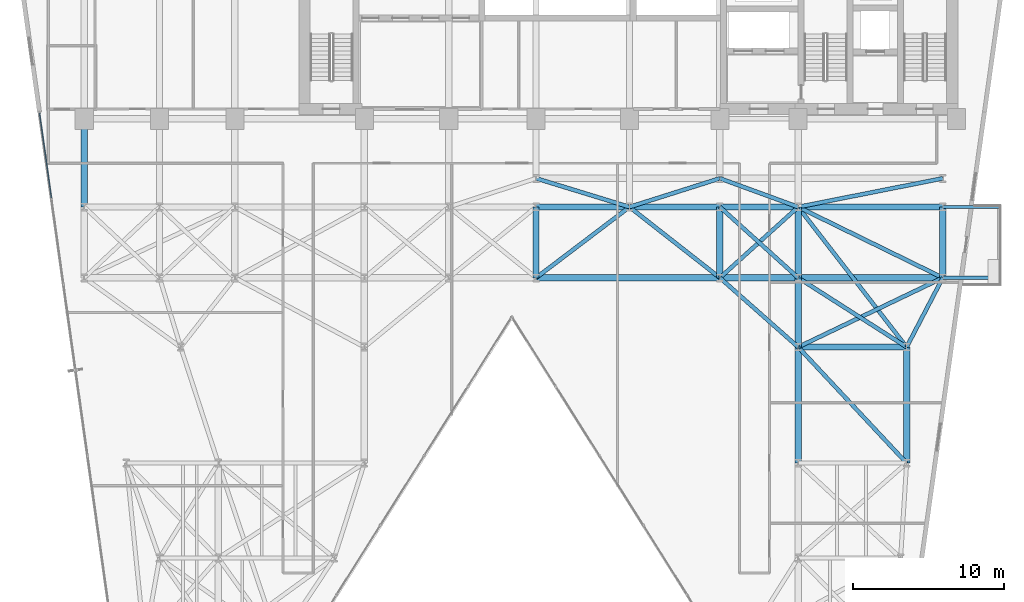
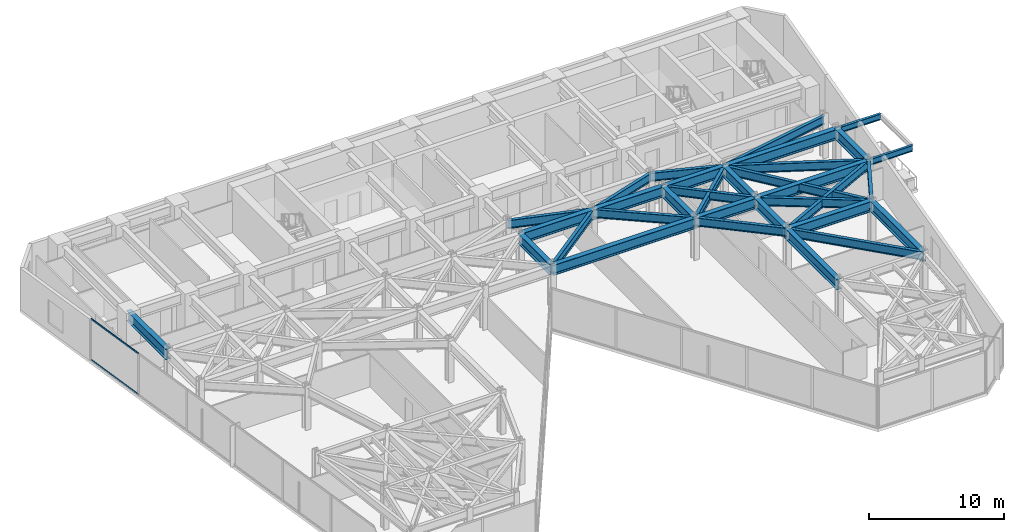
# One storey, part 16 of 25: 33 beams, 2 members, 1 element without a shape of its own.
"""IFC4 building model written with IfcOpenShell, lengths in metres."""

from ifc_helpers import new_model, si_unit, direction, frame, origin, origin_2d, place, context, subcontext, project, spatial, hollow_rectangle, i_section, extrude, material, layer, layer_set, material_profile, profile_set, type_object, element, aggregate, save


model = new_model("IFC4")

# Units and contexts
model_context = context("Model", 3, precision=1e-05, world=origin(), true_north=direction((0.0, 1.0)))
body_context = subcontext(model_context, "Body", "Model", "MODEL_VIEW")
ifc_project = project(units=[si_unit("LENGTHUNIT", "METRE"), si_unit("AREAUNIT", "SQUARE_METRE"), si_unit("VOLUMEUNIT", "CUBIC_METRE"), si_unit("PLANEANGLEUNIT", "RADIAN"), si_unit("MASSUNIT", "GRAM", prefix="KILO")], contexts=[model_context])

# Site, building, storey
site_placement = place(None, origin())
site = spatial("IfcSite", under=ifc_project, at=site_placement, CompositionType="ELEMENT")
building_placement = place(site_placement, origin())
building = spatial("IfcBuilding", under=site, at=building_placement, Name="Kravanh Interchange Tower", CompositionType="ELEMENT")
storey_placement = place(building_placement, frame((0.0, 0.0, 41.5)))
storey = spatial("IfcBuildingStorey", under=building, at=storey_placement, Name="L09", CompositionType="ELEMENT", Elevation=41.5)

# Curtain wall, members
ifc_material_1 = material(Name="Anodised Bronze Aluminium", Category="aluminium")
ifc_layer = layer(ifc_material_1, 0.179931640625)
ifc_layer_set = layer_set([ifc_layer], Name="Unitised Curtain Wall System CW-Z1 Lower Office")
curtain_wall_type = type_object("IfcCurtainWallType", Name="Unitised Curtain Wall System CW-Z1 Lower Office", PredefinedType="NOTDEFINED", material=ifc_layer_set)
curtain_wall_placement = place(storey_placement, origin())
curtain_wall = element("IfcCurtainWall", 1, at=curtain_wall_placement, inside=storey, type_object=curtain_wall_type, Name="L09 Unitised Curtain Wall CW-L09-01", PredefinedType="NOTDEFINED")
ifc_material_2 = material(Name="Anodised Bronze Aluminium", Category="aluminium")
ifc_material_profile_1 = material_profile(ifc_material_2, hollow_rectangle(XDim=0.06005859375, YDim=0.139892578125, WallThickness=0.00390625, at=origin_2d()), Name="ALU60X140X4")
ifc_profile_set_1 = profile_set([ifc_material_profile_1], Name="Anodised Bronze Aluminium")
member_type = type_object("IfcMemberType", Name="Curtain Wall Transom ALU60X140X4 Bronze", PredefinedType="USERDEFINED", material=ifc_profile_set_1)
member_1_placement = place(storey_placement, frame((6.422607421875, 32.1240234375, 0.030029296875), z_axis=(-0.139193386559, 0.990265217575, 0.0), x_axis=(-0.990265217575, -0.139193386559, 0.0)))
member_1 = element("IfcMember", 2, at=member_1_placement, type_object=member_type, Name="CW-Z1 transom 6.1", ObjectType="TRANSOM", PredefinedType="USERDEFINED", context=body_context, shape_type="SweptSolid", body=[
    extrude(hollow_rectangle(XDim=0.06005859375, YDim=0.139892578125, WallThickness=0.00390625, at=origin_2d()), origin(), (0.0, 0.0, 1.0), 5.661865234375),
])
member_2_placement = place(storey_placement, frame((6.422607421875, 32.1240234375, 3.7099609375), z_axis=(-0.139193386559, 0.990265217575, 0.0), x_axis=(-0.990265217575, -0.139193386559, 0.0)))
member_2 = element("IfcMember", 3, at=member_2_placement, type_object=member_type, Name="CW-Z1 transom 6.2", ObjectType="TRANSOM", PredefinedType="USERDEFINED", context=body_context, shape_type="SweptSolid", body=[
    extrude(hollow_rectangle(XDim=0.06005859375, YDim=0.139892578125, WallThickness=0.00390625, at=origin_2d()), origin(), (0.0, 0.0, 1.0), 5.661865234375),
])
aggregate(curtain_wall, [member_1, member_2])

# Beams
ifc_material_3 = material(Name="Structural Steel S355", Category="steel")
ifc_material_profile_2 = material_profile(ifc_material_3, i_section(OverallWidth=0.41796875, OverallDepth=0.927001953125, WebThickness=0.019287109375, FlangeThickness=0.031982421875, FilletRadius=0.028076171875, at=origin_2d()), Name="W36X231")
ifc_profile_set_2 = profile_set([ifc_material_profile_2], Name="Structural Steel S355")
beam_type_1 = type_object("IfcBeamType", Name="Floor Beam W36X231 Structural Steel S355", PredefinedType="BEAM", material=ifc_profile_set_2)
beam_1_placement = place(storey_placement, frame((8.60009765625, 37.35009765625, 3.276611328125), z_axis=(0.0, -1.0, 0.0), x_axis=(1.0, 0.0, 0.0)))
element("IfcBeam", 4, at=beam_1_placement, inside=storey, type_object=beam_type_1, Name="L09 Primary Floor Girder 36", PredefinedType="BEAM", context=body_context, shape_type="SweptSolid", body=[
    extrude(i_section(OverallWidth=0.41796875, OverallDepth=0.927001953125, WebThickness=0.019287109375, FlangeThickness=0.031982421875, FilletRadius=0.028076171875, at=origin_2d()), origin(), (0.0, 0.0, 1.0), 5.85009765625),
])
for number, where, z_axis, x_axis, name in (
    (5, (56.0, 14.5, 3.276611328125), (0.0, 1.0, 0.0), (-1.0, 0.0, 0.0), "L09 Primary Floor Girder 44"),
    (6, (63.199951171875, 14.5, 3.276611328125), (0.0, 1.0, 0.0), (-1.0, 0.0, 0.0), "L09 Primary Floor Girder 47"),
):
    element("IfcBeam", number, at=place(storey_placement, frame(where, z_axis=z_axis, x_axis=x_axis)), inside=storey, type_object=beam_type_1, Name=name, PredefinedType="BEAM", context=body_context, shape_type="SweptSolid", body=[
        extrude(i_section(OverallWidth=0.41796875, OverallDepth=0.927001953125, WebThickness=0.019287109375, FlangeThickness=0.031982421875, FilletRadius=0.028076171875, at=origin_2d()), origin(), (0.0, 0.0, 1.0), 7.699951171875),
    ])
beam_2_placement = place(storey_placement, frame((56.0, 22.199951171875, 3.276611328125), z_axis=(0.0, 1.0, 0.0), x_axis=(-1.0, 0.0, 0.0)))
element("IfcBeam", 7, at=beam_2_placement, inside=storey, type_object=beam_type_1, Name="L09 Primary Floor Girder 58", PredefinedType="BEAM", context=body_context, shape_type="SweptSolid", body=[
    extrude(i_section(OverallWidth=0.41796875, OverallDepth=0.927001953125, WebThickness=0.019287109375, FlangeThickness=0.031982421875, FilletRadius=0.028076171875, at=origin_2d()), origin(), (0.0, 0.0, 1.0), 4.60009765625),
])
beam_3_placement = place(storey_placement, frame((56.0, 22.199951171875, 3.276611328125), z_axis=(1.0, 0.0, 0.0), x_axis=(0.0, 1.0, 0.0)))
element("IfcBeam", 8, at=beam_3_placement, inside=storey, type_object=beam_type_1, Name="L09 Primary Floor Girder 60", PredefinedType="BEAM", context=body_context, shape_type="SweptSolid", body=[
    extrude(i_section(OverallWidth=0.41796875, OverallDepth=0.927001953125, WebThickness=0.019287109375, FlangeThickness=0.031982421875, FilletRadius=0.028076171875, at=origin_2d()), origin(), (0.0, 0.0, 1.0), 7.199951171875),
])
beam_4_placement = place(storey_placement, frame((38.60009765625, 26.800048828125, 3.276611328125), z_axis=(0.0, 1.0, 0.0), x_axis=(-1.0, 0.0, 0.0)))
element("IfcBeam", 9, at=beam_4_placement, inside=storey, type_object=beam_type_1, Name="L09 Primary Floor Girder 86", PredefinedType="BEAM", context=body_context, shape_type="SweptSolid", body=[
    extrude(i_section(OverallWidth=0.41796875, OverallDepth=0.927001953125, WebThickness=0.019287109375, FlangeThickness=0.031982421875, FilletRadius=0.028076171875, at=origin_2d()), origin(), (0.0, 0.0, 1.0), 4.699951171875),
])
beam_5_placement = place(storey_placement, frame((38.60009765625, 26.800048828125, 3.276611328125), z_axis=(1.0, 0.0, 0.0), x_axis=(0.0, 1.0, 0.0)))
element("IfcBeam", 10, at=beam_5_placement, inside=storey, type_object=beam_type_1, Name="L09 Primary Floor Girder 89", PredefinedType="BEAM", context=body_context, shape_type="SweptSolid", body=[
    extrude(i_section(OverallWidth=0.41796875, OverallDepth=0.927001953125, WebThickness=0.019287109375, FlangeThickness=0.031982421875, FilletRadius=0.028076171875, at=origin_2d()), origin(), (0.0, 0.0, 1.0), 12.199951171875),
])
beam_6_placement = place(storey_placement, frame((50.800048828125, 26.800048828125, 3.276611328125), z_axis=(0.0, 1.0, 0.0), x_axis=(-1.0, 0.0, 0.0)))
element("IfcBeam", 11, at=beam_6_placement, inside=storey, type_object=beam_type_1, Name="L09 Primary Floor Girder 90", PredefinedType="BEAM", context=body_context, shape_type="SweptSolid", body=[
    extrude(i_section(OverallWidth=0.41796875, OverallDepth=0.927001953125, WebThickness=0.019287109375, FlangeThickness=0.031982421875, FilletRadius=0.028076171875, at=origin_2d()), origin(), (0.0, 0.0, 1.0), 4.699951171875),
])
beam_7_placement = place(storey_placement, frame((50.800048828125, 26.800048828125, 3.276611328125), z_axis=(1.0, 0.0, 0.0), x_axis=(0.0, 1.0, 0.0)))
element("IfcBeam", 12, at=beam_7_placement, inside=storey, type_object=beam_type_1, Name="L09 Primary Floor Girder 91", PredefinedType="BEAM", context=body_context, shape_type="SweptSolid", body=[
    extrude(i_section(OverallWidth=0.41796875, OverallDepth=0.927001953125, WebThickness=0.019287109375, FlangeThickness=0.031982421875, FilletRadius=0.028076171875, at=origin_2d()), origin(), (0.0, 0.0, 1.0), 5.199951171875),
])
beam_8_placement = place(storey_placement, frame((56.0, 26.800048828125, 3.276611328125), z_axis=(0.0, 1.0, 0.0), x_axis=(-1.0, 0.0, 0.0)))
element("IfcBeam", 13, at=beam_8_placement, inside=storey, type_object=beam_type_1, Name="L09 Primary Floor Girder 94", PredefinedType="BEAM", context=body_context, shape_type="SweptSolid", body=[
    extrude(i_section(OverallWidth=0.41796875, OverallDepth=0.927001953125, WebThickness=0.019287109375, FlangeThickness=0.031982421875, FilletRadius=0.028076171875, at=origin_2d()), origin(), (0.0, 0.0, 1.0), 4.699951171875),
])
beam_9_placement = place(storey_placement, frame((56.0, 26.800048828125, 3.276611328125), z_axis=(1.0, 0.0, 0.0), x_axis=(0.0, 1.0, 0.0)))
element("IfcBeam", 14, at=beam_9_placement, inside=storey, type_object=beam_type_1, Name="L09 Primary Floor Girder 97", PredefinedType="BEAM", context=body_context, shape_type="SweptSolid", body=[
    extrude(i_section(OverallWidth=0.41796875, OverallDepth=0.927001953125, WebThickness=0.019287109375, FlangeThickness=0.031982421875, FilletRadius=0.028076171875, at=origin_2d()), origin(), (0.0, 0.0, 1.0), 9.60009765625),
])
beam_10_placement = place(storey_placement, frame((65.60009765625, 26.800048828125, 3.276611328125), z_axis=(0.0, 1.0, 0.0), x_axis=(-1.0, 0.0, 0.0)))
element("IfcBeam", 15, at=beam_10_placement, inside=storey, type_object=beam_type_1, Name="L09 Primary Floor Girder 98", PredefinedType="BEAM", context=body_context, shape_type="SweptSolid", body=[
    extrude(i_section(OverallWidth=0.41796875, OverallDepth=0.927001953125, WebThickness=0.019287109375, FlangeThickness=0.031982421875, FilletRadius=0.028076171875, at=origin_2d()), origin(), (0.0, 0.0, 1.0), 4.699951171875),
])
beam_11_placement = place(storey_placement, frame((38.60009765625, 31.5, 3.276611328125), z_axis=(1.0, 0.0, 0.0), x_axis=(0.0, 1.0, 0.0)))
element("IfcBeam", 16, at=beam_11_placement, inside=storey, type_object=beam_type_1, Name="L09 Primary Floor Girder 111", PredefinedType="BEAM", context=body_context, shape_type="SweptSolid", body=[
    extrude(i_section(OverallWidth=0.41796875, OverallDepth=0.927001953125, WebThickness=0.019287109375, FlangeThickness=0.031982421875, FilletRadius=0.028076171875, at=origin_2d()), origin(), (0.0, 0.0, 1.0), 6.199951171875),
])
beam_12_placement = place(storey_placement, frame((44.800048828125, 31.5, 3.276611328125), z_axis=(1.0, 0.0, 0.0), x_axis=(0.0, 1.0, 0.0)))
element("IfcBeam", 17, at=beam_12_placement, inside=storey, type_object=beam_type_1, Name="L09 Primary Floor Girder 113", PredefinedType="BEAM", context=body_context, shape_type="SweptSolid", body=[
    extrude(i_section(OverallWidth=0.41796875, OverallDepth=0.927001953125, WebThickness=0.019287109375, FlangeThickness=0.031982421875, FilletRadius=0.028076171875, at=origin_2d()), origin(), (0.0, 0.0, 1.0), 6.0),
])
beam_13_placement = place(storey_placement, frame((50.800048828125, 31.5, 3.276611328125), z_axis=(1.0, 0.0, 0.0), x_axis=(0.0, 1.0, 0.0)))
element("IfcBeam", 18, at=beam_13_placement, inside=storey, type_object=beam_type_1, Name="L09 Primary Floor Girder 116", PredefinedType="BEAM", context=body_context, shape_type="SweptSolid", body=[
    extrude(i_section(OverallWidth=0.41796875, OverallDepth=0.927001953125, WebThickness=0.019287109375, FlangeThickness=0.031982421875, FilletRadius=0.028076171875, at=origin_2d()), origin(), (0.0, 0.0, 1.0), 5.199951171875),
])
beam_14_placement = place(storey_placement, frame((56.0, 31.5, 3.276611328125), z_axis=(1.0, 0.0, 0.0), x_axis=(0.0, 1.0, 0.0)))
element("IfcBeam", 19, at=beam_14_placement, inside=storey, type_object=beam_type_1, Name="L09 Primary Floor Girder 119", PredefinedType="BEAM", context=body_context, shape_type="SweptSolid", body=[
    extrude(i_section(OverallWidth=0.41796875, OverallDepth=0.927001953125, WebThickness=0.019287109375, FlangeThickness=0.031982421875, FilletRadius=0.028076171875, at=origin_2d()), origin(), (0.0, 0.0, 1.0), 9.60009765625),
])
ifc_material_4 = material(Name="Structural Steel S355", Category="steel")
ifc_material_profile_3 = material_profile(ifc_material_4, i_section(OverallWidth=0.2099609375, OverallDepth=0.537109375, WebThickness=0.010986328125, FlangeThickness=0.017333984375, FilletRadius=0.02001953125, at=origin_2d()), Name="W21X68")
ifc_profile_set_3 = profile_set([ifc_material_profile_3], Name="Structural Steel S355")
beam_type_2 = type_object("IfcBeamType", Name="Floor Spandrel W21X68 Structural Steel S355", PredefinedType="SPANDREL", material=ifc_profile_set_3)
for number, where, z_axis, x_axis, name in (
    (20, (65.60009765625, 26.800048828125, 3.471435546875), (1.0, 0.0, 0.0), (0.0, 1.0, 0.0), "L09 Balcony Cantilever Outrigger E1"),
    (21, (65.60009765625, 31.5, 3.471435546875), (1.0, 0.0, 0.0), (0.0, 1.0, 0.0), "L09 Balcony Cantilever Outrigger E2"),
):
    element("IfcBeam", number, at=place(storey_placement, frame(where, z_axis=z_axis, x_axis=x_axis)), inside=storey, type_object=beam_type_2, Name=name, PredefinedType="SPANDREL", context=body_context, shape_type="SweptSolid", body=[
        extrude(i_section(OverallWidth=0.2099609375, OverallDepth=0.537109375, WebThickness=0.010986328125, FlangeThickness=0.017333984375, FilletRadius=0.02001953125, at=origin_2d()), origin(), (0.0, 0.0, 1.0), 3.72998046875),
    ])
ifc_material_5 = material(Name="Structural Steel S355", Category="steel")
ifc_material_profile_4 = material_profile(ifc_material_5, i_section(OverallWidth=0.26708984375, OverallDepth=0.761962890625, WebThickness=0.014404296875, FlangeThickness=0.021484375, FilletRadius=0.02490234375, at=origin_2d()), Name="W30X116")
ifc_profile_set_4 = profile_set([ifc_material_profile_4], Name="Structural Steel S355")
beam_type_3 = type_object("IfcBeamType", Name="Floor Spandrel W30X116 Structural Steel S355", PredefinedType="SPANDREL", material=ifc_profile_set_4)
beam_15_placement = place(storey_placement, frame((63.199951171875, 14.5, 3.35888671875), z_axis=(-0.682993762113, 0.73042420614, 0.0), x_axis=(-0.73042420614, -0.682993762113, 0.0)))
element("IfcBeam", 22, at=beam_15_placement, inside=storey, type_object=beam_type_3, Name="L09 Perimeter Spandrel 49", PredefinedType="SPANDREL", context=body_context, shape_type="SweptSolid", body=[
    extrude(i_section(OverallWidth=0.26708984375, OverallDepth=0.761962890625, WebThickness=0.014404296875, FlangeThickness=0.021484375, FilletRadius=0.02490234375, at=origin_2d()), origin(), (0.0, 0.0, 1.0), 10.541748046875),
])
beam_16_placement = place(storey_placement, frame((56.0, 22.199951171875, 3.35888671875), z_axis=(-0.74898649432, 0.662585263439, 0.0), x_axis=(-0.662585263439, -0.74898649432, 0.0)))
element("IfcBeam", 23, at=beam_16_placement, inside=storey, type_object=beam_type_3, Name="L09 Perimeter Spandrel 59", PredefinedType="SPANDREL", context=body_context, shape_type="SweptSolid", body=[
    extrude(i_section(OverallWidth=0.26708984375, OverallDepth=0.761962890625, WebThickness=0.014404296875, FlangeThickness=0.021484375, FilletRadius=0.02490234375, at=origin_2d()), origin(), (0.0, 0.0, 1.0), 6.942626953125),
])
beam_17_placement = place(storey_placement, frame((56.0, 22.199951171875, 3.35888671875), z_axis=(0.901814166789, 0.432124066188, 0.0), x_axis=(-0.432124066188, 0.901814166789, 0.0)))
element("IfcBeam", 24, at=beam_17_placement, inside=storey, type_object=beam_type_3, Name="L09 Perimeter Spandrel 61", PredefinedType="SPANDREL", context=body_context, shape_type="SweptSolid", body=[
    extrude(i_section(OverallWidth=0.26708984375, OverallDepth=0.761962890625, WebThickness=0.014404296875, FlangeThickness=0.021484375, FilletRadius=0.02490234375, at=origin_2d()), origin(), (0.0, 0.0, 1.0), 10.645263671875),
])
beam_18_placement = place(storey_placement, frame((63.199951171875, 22.199951171875, 3.35888671875), z_axis=(0.462580479178, 0.886577295155, 0.0), x_axis=(-0.886577295155, 0.462580479178, 0.0)))
element("IfcBeam", 25, at=beam_18_placement, inside=storey, type_object=beam_type_3, Name="L09 Perimeter Spandrel 62", PredefinedType="SPANDREL", context=body_context, shape_type="SweptSolid", body=[
    extrude(i_section(OverallWidth=0.26708984375, OverallDepth=0.761962890625, WebThickness=0.014404296875, FlangeThickness=0.021484375, FilletRadius=0.02490234375, at=origin_2d()), origin(), (0.0, 0.0, 1.0), 5.188720703125),
])
beam_19_placement = place(storey_placement, frame((63.199951171875, 22.199951171875, 3.35888671875), z_axis=(-0.842689417531, 0.53839998661, 0.0), x_axis=(-0.53839998661, -0.842689417531, 0.0)))
element("IfcBeam", 26, at=beam_19_placement, inside=storey, type_object=beam_type_3, Name="L09 Perimeter Spandrel 63", PredefinedType="SPANDREL", context=body_context, shape_type="SweptSolid", body=[
    extrude(i_section(OverallWidth=0.26708984375, OverallDepth=0.761962890625, WebThickness=0.014404296875, FlangeThickness=0.021484375, FilletRadius=0.02490234375, at=origin_2d()), origin(), (0.0, 0.0, 1.0), 8.5439453125),
])
beam_20_placement = place(storey_placement, frame((63.199951171875, 22.199951171875, 3.35888671875), z_axis=(-0.612168587637, 0.790727273028, 0.0), x_axis=(-0.790727273028, -0.612168587637, 0.0)))
element("IfcBeam", 27, at=beam_20_placement, inside=storey, type_object=beam_type_3, Name="L09 Perimeter Spandrel 65", PredefinedType="SPANDREL", context=body_context, shape_type="SweptSolid", body=[
    extrude(i_section(OverallWidth=0.26708984375, OverallDepth=0.761962890625, WebThickness=0.014404296875, FlangeThickness=0.021484375, FilletRadius=0.02490234375, at=origin_2d()), origin(), (0.0, 0.0, 1.0), 11.761474609375),
])
beam_21_placement = place(storey_placement, frame((38.60009765625, 26.800048828125, 3.35888671875), z_axis=(0.796905365509, 0.604104161898, 0.0), x_axis=(-0.604104161898, 0.796905365509, 0.0)))
element("IfcBeam", 28, at=beam_21_placement, inside=storey, type_object=beam_type_3, Name="L09 Perimeter Spandrel 88", PredefinedType="SPANDREL", context=body_context, shape_type="SweptSolid", body=[
    extrude(i_section(OverallWidth=0.26708984375, OverallDepth=0.761962890625, WebThickness=0.014404296875, FlangeThickness=0.021484375, FilletRadius=0.02490234375, at=origin_2d()), origin(), (0.0, 0.0, 1.0), 7.780029296875),
])
beam_22_placement = place(storey_placement, frame((50.800048828125, 26.800048828125, 3.35888671875), z_axis=(0.741874009795, 0.670539300557, 0.0), x_axis=(-0.670539300557, 0.741874009795, 0.0)))
element("IfcBeam", 29, at=beam_22_placement, inside=storey, type_object=beam_type_3, Name="L09 Perimeter Spandrel 92", PredefinedType="SPANDREL", context=body_context, shape_type="SweptSolid", body=[
    extrude(i_section(OverallWidth=0.26708984375, OverallDepth=0.761962890625, WebThickness=0.014404296875, FlangeThickness=0.021484375, FilletRadius=0.02490234375, at=origin_2d()), origin(), (0.0, 0.0, 1.0), 7.00927734375),
])
beam_23_placement = place(storey_placement, frame((50.800048828125, 26.800048828125, 3.35888671875), z_axis=(-0.787231163579, 0.616658004967, 0.0), x_axis=(-0.616658004967, -0.787231163579, 0.0)))
element("IfcBeam", 30, at=beam_23_placement, inside=storey, type_object=beam_type_3, Name="L09 Perimeter Spandrel 93", PredefinedType="SPANDREL", context=body_context, shape_type="SweptSolid", body=[
    extrude(i_section(OverallWidth=0.26708984375, OverallDepth=0.761962890625, WebThickness=0.014404296875, FlangeThickness=0.021484375, FilletRadius=0.02490234375, at=origin_2d()), origin(), (0.0, 0.0, 1.0), 7.62158203125),
])
beam_24_placement = place(storey_placement, frame((56.0, 26.800048828125, 3.35888671875), z_axis=(-0.741874009795, 0.670539300557, 0.0), x_axis=(-0.670539300557, -0.741874009795, 0.0)))
element("IfcBeam", 31, at=beam_24_placement, inside=storey, type_object=beam_type_3, Name="L09 Perimeter Spandrel 95", PredefinedType="SPANDREL", context=body_context, shape_type="SweptSolid", body=[
    extrude(i_section(OverallWidth=0.26708984375, OverallDepth=0.761962890625, WebThickness=0.014404296875, FlangeThickness=0.021484375, FilletRadius=0.02490234375, at=origin_2d()), origin(), (0.0, 0.0, 1.0), 7.00927734375),
])
beam_25_placement = place(storey_placement, frame((65.60009765625, 26.800048828125, 3.35888671875), z_axis=(-0.898141688387, 0.439706160499, 0.0), x_axis=(-0.439706160499, -0.898141688387, 0.0)))
element("IfcBeam", 32, at=beam_25_placement, inside=storey, type_object=beam_type_3, Name="L09 Perimeter Spandrel 99", PredefinedType="SPANDREL", context=body_context, shape_type="SweptSolid", body=[
    extrude(i_section(OverallWidth=0.26708984375, OverallDepth=0.761962890625, WebThickness=0.014404296875, FlangeThickness=0.021484375, FilletRadius=0.02490234375, at=origin_2d()), origin(), (0.0, 0.0, 1.0), 10.68896484375),
])
beam_26_placement = place(storey_placement, frame((44.800048828125, 31.5, 3.35888671875), z_axis=(0.953346691051, 0.301877602122, 0.0), x_axis=(-0.301877602122, 0.953346691051, 0.0)))
element("IfcBeam", 33, at=beam_26_placement, inside=storey, type_object=beam_type_3, Name="L09 Perimeter Spandrel 114", PredefinedType="SPANDREL", context=body_context, shape_type="SweptSolid", body=[
    extrude(i_section(OverallWidth=0.26708984375, OverallDepth=0.761962890625, WebThickness=0.014404296875, FlangeThickness=0.021484375, FilletRadius=0.02490234375, at=origin_2d()), origin(), (0.0, 0.0, 1.0), 6.293701171875),
])
beam_27_placement = place(storey_placement, frame((44.800048828125, 31.5, 3.35888671875), z_axis=(-0.956115397264, 0.292990353279, 0.0), x_axis=(-0.292990353279, -0.956115397264, 0.0)))
element("IfcBeam", 34, at=beam_27_placement, inside=storey, type_object=beam_type_3, Name="L09 Perimeter Spandrel 115", PredefinedType="SPANDREL", context=body_context, shape_type="SweptSolid", body=[
    extrude(i_section(OverallWidth=0.26708984375, OverallDepth=0.761962890625, WebThickness=0.014404296875, FlangeThickness=0.021484375, FilletRadius=0.02490234375, at=origin_2d()), origin(), (0.0, 0.0, 1.0), 6.484619140625),
])
beam_28_placement = place(storey_placement, frame((56.0, 31.5, 3.35888671875), z_axis=(-0.93926957103, 0.343180233896, 0.0), x_axis=(-0.343180233896, -0.93926957103, 0.0)))
element("IfcBeam", 35, at=beam_28_placement, inside=storey, type_object=beam_type_3, Name="L09 Perimeter Spandrel 118", PredefinedType="SPANDREL", context=body_context, shape_type="SweptSolid", body=[
    extrude(i_section(OverallWidth=0.26708984375, OverallDepth=0.761962890625, WebThickness=0.014404296875, FlangeThickness=0.021484375, FilletRadius=0.02490234375, at=origin_2d()), origin(), (0.0, 0.0, 1.0), 5.5361328125),
])
beam_29_placement = place(storey_placement, frame((56.0, 31.5, 3.35888671875), z_axis=(0.980974000807, 0.194139150457, 0.0), x_axis=(-0.194139150457, 0.980974000807, 0.0)))
element("IfcBeam", 36, at=beam_29_placement, inside=storey, type_object=beam_type_3, Name="L09 Perimeter Spandrel 120", PredefinedType="SPANDREL", context=body_context, shape_type="SweptSolid", body=[
    extrude(i_section(OverallWidth=0.26708984375, OverallDepth=0.761962890625, WebThickness=0.014404296875, FlangeThickness=0.021484375, FilletRadius=0.02490234375, at=origin_2d()), origin(), (0.0, 0.0, 1.0), 9.786376953125),
])

save(model, "model.ifc")
